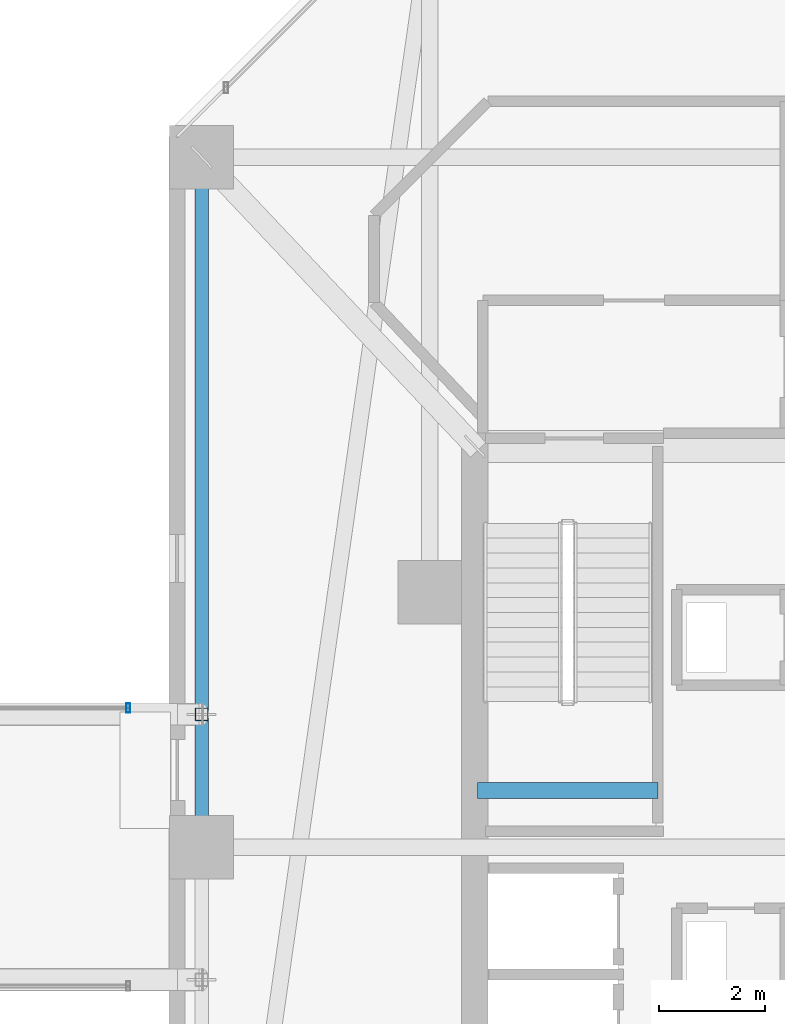
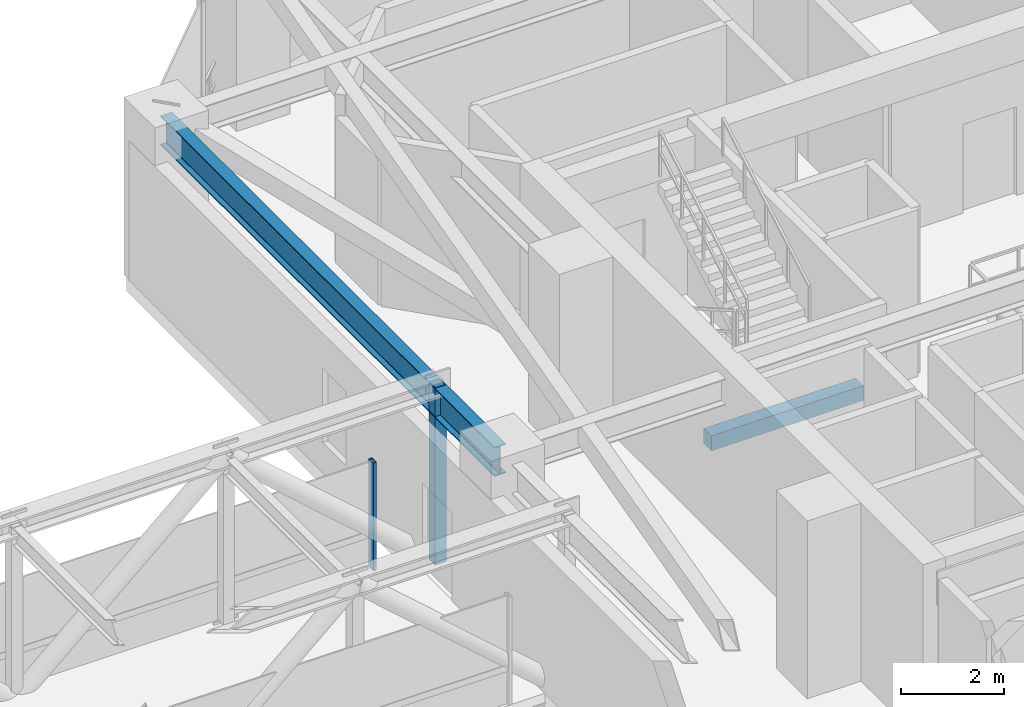
# One storey, part 21 of 45: 2 beams, 2 members, 1 element without a shape of its own.
"""IFC4 building model written with IfcOpenShell, lengths in metres."""

from ifc_helpers import new_model, si_unit, direction, frame, origin, origin_2d, place, context, subcontext, project, spatial, rectangle, hollow_rectangle, i_section, extrude, material, material_profile, profile_set, type_object, element, aggregate, save


model = new_model("IFC4")

# Units and contexts
model_context = context("Model", 3, precision=1e-05, world=origin(), true_north=direction((0.0, 1.0)))
body_context = subcontext(model_context, "Body", "Model", "MODEL_VIEW")
ifc_project = project(units=[si_unit("LENGTHUNIT", "METRE"), si_unit("AREAUNIT", "SQUARE_METRE"), si_unit("VOLUMEUNIT", "CUBIC_METRE"), si_unit("PLANEANGLEUNIT", "RADIAN"), si_unit("MASSUNIT", "GRAM", prefix="KILO")], contexts=[model_context])

# Site, building, storey
site_placement = place(None, origin())
site = spatial("IfcSite", under=ifc_project, at=site_placement, CompositionType="ELEMENT")
building_placement = place(site_placement, origin())
building = spatial("IfcBuilding", under=site, at=building_placement, Name="Thornwick Lancets Civic Towers", CompositionType="ELEMENT")
storey_placement = place(building_placement, frame((0.0, 0.0, 141.300048828125)))
storey = spatial("IfcBuildingStorey", under=building, at=storey_placement, Name="L37", CompositionType="ELEMENT", Elevation=141.300048828125)

# Beams
ifc_material_1 = material(Name="Steel S355JR", Category="steel")
ifc_material_profile_1 = material_profile(ifc_material_1, i_section(OverallWidth=0.255859375, OverallDepth=0.69287109375, WebThickness=0.014404296875, FlangeThickness=0.023681640625, FilletRadius=0.01513671875, at=origin_2d()), Name="UKB 686x254x170")
ifc_profile_set_1 = profile_set([ifc_material_profile_1], Name="Steel S355JR")
beam_type_1 = type_object("IfcBeamType", Name="BM_GIRD_686_170", PredefinedType="BEAM", material=ifc_profile_set_1)
beam_1_placement = place(storey_placement, frame((71.199951171875, 27.080078125, 3.613525390625), z_axis=(0.0, 1.0, 0.0), x_axis=(-1.0, 0.0, 0.0)))
element("IfcBeam", 1, at=beam_1_placement, inside=storey, type_object=beam_type_1, Name="BM-SPINE-L37-B-7-8", PredefinedType="BEAM", context=body_context, shape_type="SweptSolid", body=[
    extrude(i_section(OverallWidth=0.255859375, OverallDepth=0.69287109375, WebThickness=0.014404296875, FlangeThickness=0.023681640625, FilletRadius=0.01513671875, at=origin_2d()), origin(), (0.0, 0.0, 1.0), 12.919921875),
])
ifc_material_2 = material(Name="Concrete C40/50", Category="concrete")
ifc_material_profile_2 = material_profile(ifc_material_2, rectangle(XDim=0.300048828125, YDim=0.35009765625, at=origin_2d()), Name="RC 300x350")
ifc_profile_set_2 = profile_set([ifc_material_profile_2], Name="Concrete C40/50")
beam_type_2 = type_object("IfcBeamType", Name="BM_STAIR_LDG", PredefinedType="BEAM", material=ifc_profile_set_2)
beam_2_placement = place(storey_placement, frame((76.39990234375, 28.06494140625, 1.677978515625), z_axis=(1.0, 0.0, 0.0), x_axis=(0.0, 1.0, 0.0)))
element("IfcBeam", 2, at=beam_2_placement, inside=storey, type_object=beam_type_2, Name="L37 ST-B2 Landing Support Beam 1", PredefinedType="BEAM", context=body_context, shape_type="SweptSolid", body=[
    extrude(rectangle(XDim=0.300048828125, YDim=0.35009765625, at=origin_2d()), origin(), (0.0, 0.0, 1.0), 3.400146484375),
])

# Curtain wall, member
ifc_material_3 = material(Name="Skybridge acoustic laminated-glass curtain wall", Category="glass")
curtain_wall_type = type_object("IfcCurtainWallType", Name="CW_SYS_06", PredefinedType="NOTDEFINED", material=ifc_material_3)
curtain_wall_placement = place(storey_placement, origin())
curtain_wall = element("IfcCurtainWall", 3, at=curtain_wall_placement, inside=storey, type_object=curtain_wall_type, Name="L37 Curtain Wall CW-L37-SKYBRIDGE-N", PredefinedType="NOTDEFINED")
ifc_material_4 = material(Name="Thermally broken bronze aluminium S355", Category="steel")
ifc_material_profile_3 = material_profile(ifc_material_4, hollow_rectangle(XDim=0.074951171875, YDim=0.179931640625, WallThickness=0.006103515625, at=origin_2d()), Name="RHS 180x75x6")
ifc_profile_set_3 = profile_set([ifc_material_profile_3], Name="Thermally broken bronze aluminium S355")
member_type_1 = type_object("IfcMemberType", Name="CW_MUL_180", PredefinedType="MULLION", material=ifc_profile_set_3)
member_1_placement = place(storey_placement, frame((69.820068359375, 29.6201171875, 0.0), z_axis=(0.0, 0.0, 1.0), x_axis=(1.0, 0.0, 0.0)))
member_1 = element("IfcMember", 4, at=member_1_placement, type_object=member_type_1, Name="CW-L37-SKYBRIDGE-N Mullion 0", PredefinedType="MULLION", context=body_context, shape_type="SweptSolid", body=[
    extrude(hollow_rectangle(XDim=0.074951171875, YDim=0.179931640625, WallThickness=0.006103515625, at=origin_2d()), origin(), (0.0, 0.0, 1.0), 2.550048828125),
])
aggregate(curtain_wall, [member_1])

# Member
ifc_material_5 = material(Name="Steel S460M", Category="steel")
ifc_material_profile_4 = material_profile(ifc_material_5, hollow_rectangle(XDim=0.25, YDim=0.25, WallThickness=0.01611328125, at=origin_2d()), Name="SHS 250x250x16")
ifc_profile_set_4 = profile_set([ifc_material_profile_4], Name="Steel S460M")
member_type_2 = type_object("IfcMemberType", Name="MEM_BRG_WEB_SHS250", PredefinedType="BRACE", material=ifc_profile_set_4)
member_2_placement = place(storey_placement, frame((71.199951171875, 29.5, -0.219970703125), z_axis=(0.0, 0.0, 1.0), x_axis=(1.0, 0.0, 0.0)))
element("IfcMember", 5, at=member_2_placement, inside=storey, type_object=member_type_2, Name="L37 Skybridge Truss Post 2-6", PredefinedType="BRACE", context=body_context, shape_type="SweptSolid", body=[
    extrude(hollow_rectangle(XDim=0.25, YDim=0.25, WallThickness=0.01611328125, at=origin_2d()), origin(), (0.0, 0.0, 1.0), 4.179931640625),
])

save(model, "model.ifc")
